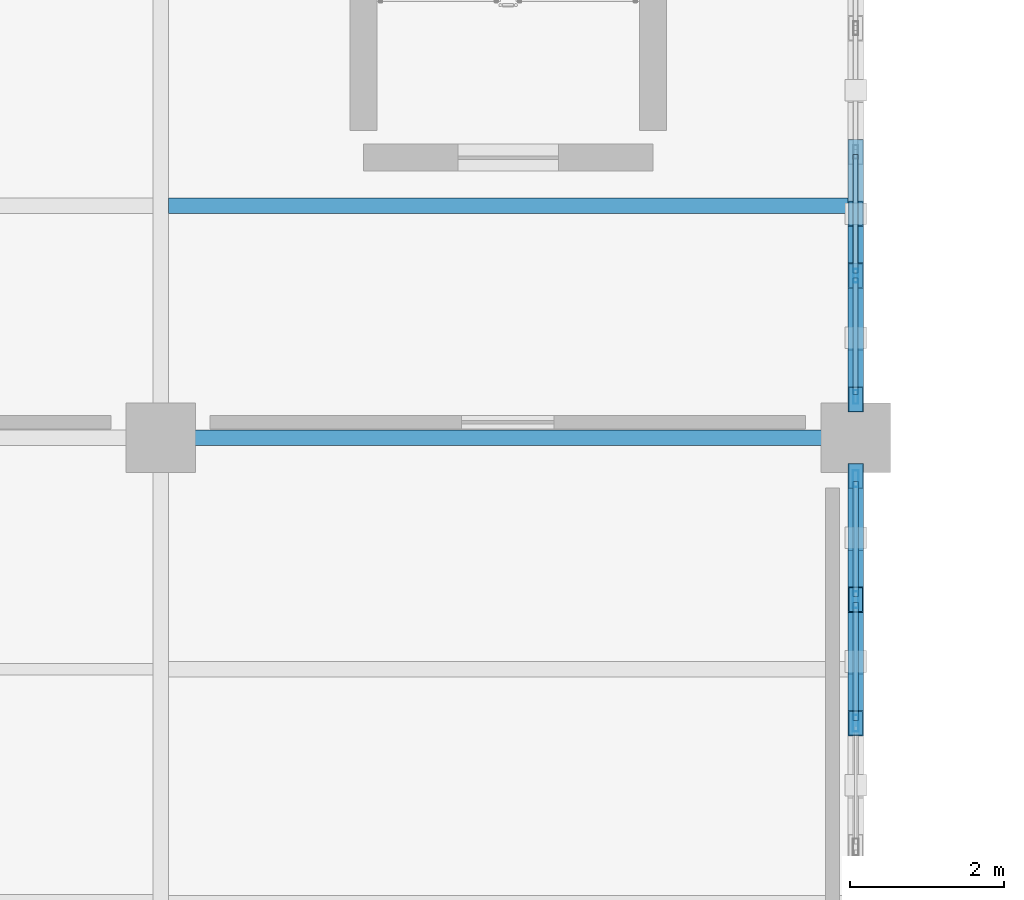
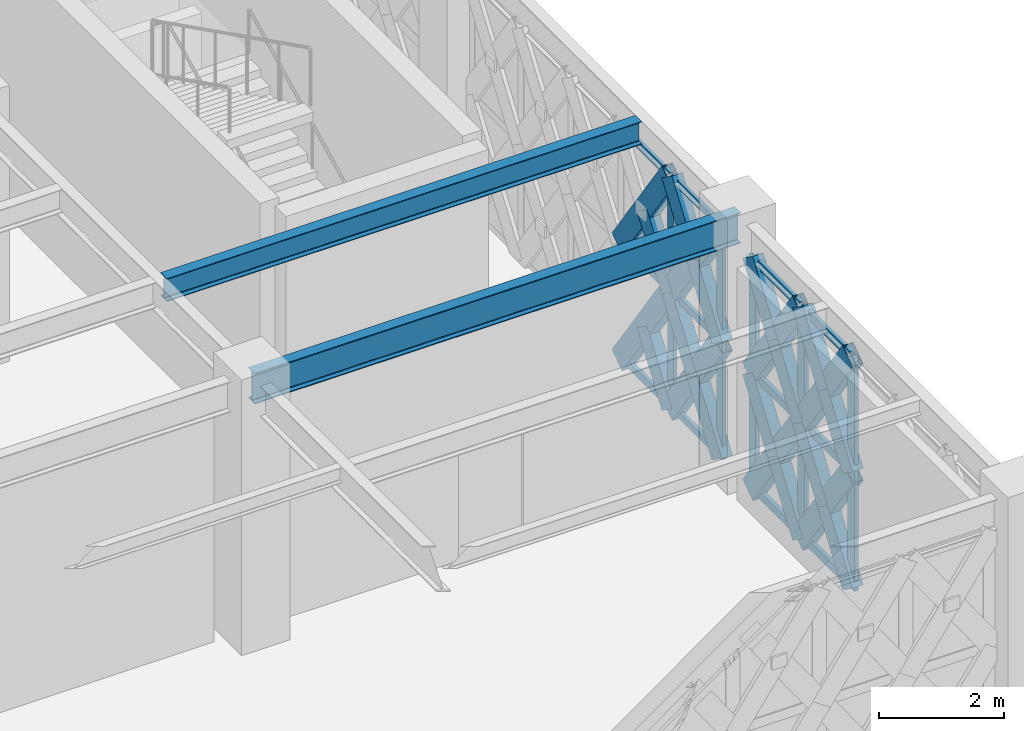
# One storey, part 17 of 155: 39 members, 2 beams, 2 elements without a shape of their own.
"""IFC4 building model written with IfcOpenShell, lengths in metres."""

from ifc_helpers import new_model, si_unit, direction, frame, origin, origin_2d, place, context, subcontext, project, spatial, hollow_rectangle, i_section, extrude, material, material_profile, profile_set, type_object, element, aggregate, save


model = new_model("IFC4")

# Units and contexts
model_context = context("Model", 3, precision=1e-05, world=origin(), true_north=direction((0.0, 1.0)))
body_context = subcontext(model_context, "Body", "Model", "MODEL_VIEW")
ifc_project = project(units=[si_unit("LENGTHUNIT", "METRE"), si_unit("AREAUNIT", "SQUARE_METRE"), si_unit("VOLUMEUNIT", "CUBIC_METRE"), si_unit("PLANEANGLEUNIT", "RADIAN"), si_unit("MASSUNIT", "GRAM", prefix="KILO")], contexts=[model_context])

# Site, building, storey
site_placement = place(None, origin())
site = spatial("IfcSite", under=ifc_project, at=site_placement, CompositionType="ELEMENT")
building_placement = place(site_placement, origin())
building = spatial("IfcBuilding", under=site, at=building_placement, Name="Haizhuo Lancet Aquarium", CompositionType="ELEMENT")
storey_placement = place(building_placement, frame((0.0, 0.0, 10.800048828125)))
storey = spatial("IfcBuildingStorey", under=building, at=storey_placement, Name="L02", CompositionType="ELEMENT", Elevation=10.800048828125)

# Beam
ifc_material_1 = material(Name="Steel S355", Category="steel")
ifc_material_profile_1 = material_profile(ifc_material_1, i_section(OverallWidth=0.199951171875, OverallDepth=0.60009765625, WebThickness=0.010986328125, FlangeThickness=0.01708984375, FilletRadius=0.02197265625, at=origin_2d()), Name="HN 600x200x11x17")
ifc_profile_set_1 = profile_set([ifc_material_profile_1], Name="Steel S355")
beam_type_1 = type_object("IfcBeamType", Name="BM-ST-HN600", PredefinedType="BEAM", material=ifc_profile_set_1)
beam_1_placement = place(storey_placement, frame((-45.0, -27.0, 4.85986328125), z_axis=(1.0, 0.0, 0.0), x_axis=(0.0, 1.0, 0.0)))
element("IfcBeam", 1, at=beam_1_placement, inside=storey, type_object=beam_type_1, Name="L02 V6 primary girder BM-L02-V6-024", PredefinedType="BEAM", context=body_context, shape_type="SweptSolid", body=[
    extrude(i_section(OverallWidth=0.199951171875, OverallDepth=0.60009765625, WebThickness=0.010986328125, FlangeThickness=0.01708984375, FilletRadius=0.02197265625, at=origin_2d()), origin(), (0.0, 0.0, 1.0), 9.0),
])

# Curtain wall, members
ifc_material_2 = material(Name="Aluminium 6063-T6", Category="aluminium")
curtain_wall_type = type_object("IfcCurtainWallType", Name="CWD-8010x4560", PredefinedType="NOTDEFINED", material=ifc_material_2)
curtain_wall_1_placement = place(storey_placement, origin())
curtain_wall_1 = element("IfcCurtainWall", 2, at=curtain_wall_1_placement, inside=storey, type_object=curtain_wall_type, Name="L02 curtain wall CW-V6-L02-220", PredefinedType="NOTDEFINED")
ifc_material_profile_2 = material_profile(ifc_material_2, hollow_rectangle(XDim=0.06494140625, YDim=0.179931640625, WallThickness=0.00390625, at=origin_2d()), Name="ALU-M 65x180x4")
ifc_profile_set_2 = profile_set([ifc_material_profile_2], Name="Aluminium 6063-T6")
member_type_1 = type_object("IfcMemberType", Name="CW-MUL-1", PredefinedType="MULLION", material=ifc_profile_set_2)
member_1_placement = place(storey_placement, frame((-36.0, -24.903076171875, 0.0), z_axis=(0.0, 0.0, 1.0), x_axis=(1.0, 0.0, 0.0)))
member_1 = element("IfcMember", 3, at=member_1_placement, type_object=member_type_1, Name="CWD-80x45 mullion 5", PredefinedType="MULLION", context=body_context, shape_type="SweptSolid", body=[
    extrude(hollow_rectangle(XDim=0.06494140625, YDim=0.179931640625, WallThickness=0.00390625, at=origin_2d()), origin(), (0.0, 0.0, 1.0), 4.56005859375),
])
member_2_placement = place(storey_placement, frame((-36.0, -26.472900390625, 0.0), z_axis=(0.0, 0.0, 1.0), x_axis=(1.0, 0.0, 0.0)))
member_2 = element("IfcMember", 4, at=member_2_placement, type_object=member_type_1, Name="CWD-80x45 mullion 6", PredefinedType="MULLION", context=body_context, shape_type="SweptSolid", body=[
    extrude(hollow_rectangle(XDim=0.06494140625, YDim=0.179931640625, WallThickness=0.00390625, at=origin_2d()), origin(), (0.0, 0.0, 1.0), 4.56005859375),
])

curtain_wall_2_placement = place(storey_placement, origin())
curtain_wall_2 = element("IfcCurtainWall", 5, at=curtain_wall_2_placement, inside=storey, type_object=curtain_wall_type, Name="L02 curtain wall CW-V6-L02-221", PredefinedType="NOTDEFINED")
ifc_material_profile_3 = material_profile(ifc_material_2, hollow_rectangle(XDim=0.074951171875, YDim=0.219970703125, WallThickness=0.0048828125, at=origin_2d()), Name="ALU-M 75x220x5")
ifc_profile_set_3 = profile_set([ifc_material_profile_3], Name="Aluminium 6063-T6")
member_type_2 = type_object("IfcMemberType", Name="CW-MUL-2", PredefinedType="MULLION", material=ifc_profile_set_3)
member_3_placement = place(storey_placement, frame((-36.0, -27.532958984375, 0.0), z_axis=(0.0, 0.0, 1.0), x_axis=(1.0, 0.0, 0.0)))
member_3 = element("IfcMember", 6, at=member_3_placement, type_object=member_type_2, Name="CWD-80x45 mullion 1", PredefinedType="MULLION", context=body_context, shape_type="SweptSolid", body=[
    extrude(hollow_rectangle(XDim=0.074951171875, YDim=0.219970703125, WallThickness=0.0048828125, at=origin_2d()), origin(), (0.0, 0.0, 1.0), 4.56005859375),
])
member_4_placement = place(storey_placement, frame((-36.0, -29.096923828125, 0.0), z_axis=(0.0, 0.0, 1.0), x_axis=(1.0, 0.0, 0.0)))
member_4 = element("IfcMember", 7, at=member_4_placement, type_object=member_type_2, Name="CWD-80x45 mullion 2", PredefinedType="MULLION", context=body_context, shape_type="SweptSolid", body=[
    extrude(hollow_rectangle(XDim=0.074951171875, YDim=0.219970703125, WallThickness=0.0048828125, at=origin_2d()), origin(), (0.0, 0.0, 1.0), 4.56005859375),
])
member_5_placement = place(storey_placement, frame((-36.0, -30.698974609375, 0.0), z_axis=(0.0, 0.0, 1.0), x_axis=(1.0, 0.0, 0.0)))
member_5 = element("IfcMember", 8, at=member_5_placement, type_object=member_type_2, Name="CWD-80x45 mullion 3", PredefinedType="MULLION", context=body_context, shape_type="SweptSolid", body=[
    extrude(hollow_rectangle(XDim=0.074951171875, YDim=0.219970703125, WallThickness=0.0048828125, at=origin_2d()), origin(), (0.0, 0.0, 1.0), 4.56005859375),
])

# Member
ifc_material_profile_4 = material_profile(ifc_material_2, hollow_rectangle(XDim=0.06494140625, YDim=0.139892578125, WallThickness=0.00390625, at=origin_2d()), Name="ALU-T 65x140x4")
ifc_profile_set_4 = profile_set([ifc_material_profile_4], Name="Aluminium 6063-T6")
member_type_3 = type_object("IfcMemberType", Name="CW-TRN-1", PredefinedType="NOTDEFINED", material=ifc_profile_set_4)
member_6_placement = place(storey_placement, frame((-36.0, -23.333984375, 0.032958984375), z_axis=(0.0, -1.0, 0.0), x_axis=(1.0, 0.0, 0.0)))
member_6 = element("IfcMember", 9, at=member_6_placement, type_object=member_type_3, Name="CWD-80x45 transom 4.1", ObjectType="TRANSOM", PredefinedType="USERDEFINED", context=body_context, shape_type="SweptSolid", body=[
    extrude(hollow_rectangle(XDim=0.06494140625, YDim=0.139892578125, WallThickness=0.00390625, at=origin_2d()), origin(), (0.0, 0.0, 1.0), 1.5361328125),
])

member_7_placement = place(storey_placement, frame((-36.0, -23.333984375, 2.280029296875), z_axis=(0.0, -1.0, 0.0), x_axis=(1.0, 0.0, 0.0)))
member_7 = element("IfcMember", 10, at=member_7_placement, type_object=member_type_3, Name="CWD-80x45 transom 4.2", ObjectType="TRANSOM", PredefinedType="USERDEFINED", context=body_context, shape_type="SweptSolid", body=[
    extrude(hollow_rectangle(XDim=0.06494140625, YDim=0.139892578125, WallThickness=0.00390625, at=origin_2d()), origin(), (0.0, 0.0, 1.0), 1.5361328125),
])

member_8_placement = place(storey_placement, frame((-36.0, -23.333984375, 4.52685546875), z_axis=(0.0, -1.0, 0.0), x_axis=(1.0, 0.0, 0.0)))
member_8 = element("IfcMember", 11, at=member_8_placement, type_object=member_type_3, Name="CWD-80x45 transom 4.3", ObjectType="TRANSOM", PredefinedType="USERDEFINED", context=body_context, shape_type="SweptSolid", body=[
    extrude(hollow_rectangle(XDim=0.06494140625, YDim=0.139892578125, WallThickness=0.00390625, at=origin_2d()), origin(), (0.0, 0.0, 1.0), 1.5361328125),
])

member_9_placement = place(storey_placement, frame((-36.0, -24.93505859375, 0.032958984375), z_axis=(0.0, -1.0, 0.0), x_axis=(1.0, 0.0, 0.0)))
member_9 = element("IfcMember", 12, at=member_9_placement, type_object=member_type_3, Name="CWD-80x45 transom 5.1", ObjectType="TRANSOM", PredefinedType="USERDEFINED", context=body_context, shape_type="SweptSolid", body=[
    extrude(hollow_rectangle(XDim=0.06494140625, YDim=0.139892578125, WallThickness=0.00390625, at=origin_2d()), origin(), (0.0, 0.0, 1.0), 1.5048828125),
])

member_10_placement = place(storey_placement, frame((-36.0, -24.93505859375, 2.280029296875), z_axis=(0.0, -1.0, 0.0), x_axis=(1.0, 0.0, 0.0)))
member_10 = element("IfcMember", 13, at=member_10_placement, type_object=member_type_3, Name="CWD-80x45 transom 5.2", ObjectType="TRANSOM", PredefinedType="USERDEFINED", context=body_context, shape_type="SweptSolid", body=[
    extrude(hollow_rectangle(XDim=0.06494140625, YDim=0.139892578125, WallThickness=0.00390625, at=origin_2d()), origin(), (0.0, 0.0, 1.0), 1.5048828125),
])

member_11_placement = place(storey_placement, frame((-36.0, -24.93505859375, 4.52685546875), z_axis=(0.0, -1.0, 0.0), x_axis=(1.0, 0.0, 0.0)))
member_11 = element("IfcMember", 14, at=member_11_placement, type_object=member_type_3, Name="CWD-80x45 transom 5.3", ObjectType="TRANSOM", PredefinedType="USERDEFINED", context=body_context, shape_type="SweptSolid", body=[
    extrude(hollow_rectangle(XDim=0.06494140625, YDim=0.139892578125, WallThickness=0.00390625, at=origin_2d()), origin(), (0.0, 0.0, 1.0), 1.5048828125),
])

aggregate(curtain_wall_1, [member_1, member_2, member_6, member_7, member_8, member_9, member_10, member_11])

ifc_material_profile_5 = material_profile(ifc_material_2, hollow_rectangle(XDim=0.074951171875, YDim=0.159912109375, WallThickness=0.00390625, at=origin_2d()), Name="ALU-T 75x160x4")
ifc_profile_set_5 = profile_set([ifc_material_profile_5], Name="Aluminium 6063-T6")
member_type_4 = type_object("IfcMemberType", Name="CW-TRN-2", PredefinedType="NOTDEFINED", material=ifc_profile_set_5)
member_12_placement = place(storey_placement, frame((-36.0, -27.570068359375, 0.037841796875), z_axis=(0.0, -1.0, 0.0), x_axis=(1.0, 0.0, 0.0)))
member_12 = element("IfcMember", 15, at=member_12_placement, type_object=member_type_4, Name="CWD-80x45 transom 1.1", ObjectType="TRANSOM", PredefinedType="USERDEFINED", context=body_context, shape_type="SweptSolid", body=[
    extrude(hollow_rectangle(XDim=0.074951171875, YDim=0.159912109375, WallThickness=0.00390625, at=origin_2d()), origin(), (0.0, 0.0, 1.0), 1.489013671875),
])

member_13_placement = place(storey_placement, frame((-36.0, -27.570068359375, 2.280029296875), z_axis=(0.0, -1.0, 0.0), x_axis=(1.0, 0.0, 0.0)))
member_13 = element("IfcMember", 16, at=member_13_placement, type_object=member_type_4, Name="CWD-80x45 transom 1.2", ObjectType="TRANSOM", PredefinedType="USERDEFINED", context=body_context, shape_type="SweptSolid", body=[
    extrude(hollow_rectangle(XDim=0.074951171875, YDim=0.159912109375, WallThickness=0.00390625, at=origin_2d()), origin(), (0.0, 0.0, 1.0), 1.489013671875),
])

member_14_placement = place(storey_placement, frame((-36.0, -27.570068359375, 4.52197265625), z_axis=(0.0, -1.0, 0.0), x_axis=(1.0, 0.0, 0.0)))
member_14 = element("IfcMember", 17, at=member_14_placement, type_object=member_type_4, Name="CWD-80x45 transom 1.3", ObjectType="TRANSOM", PredefinedType="USERDEFINED", context=body_context, shape_type="SweptSolid", body=[
    extrude(hollow_rectangle(XDim=0.074951171875, YDim=0.159912109375, WallThickness=0.00390625, at=origin_2d()), origin(), (0.0, 0.0, 1.0), 1.489013671875),
])

member_15_placement = place(storey_placement, frame((-36.0, -29.135009765625, 0.037841796875), z_axis=(0.0, -1.0, 0.0), x_axis=(1.0, 0.0, 0.0)))
member_15 = element("IfcMember", 18, at=member_15_placement, type_object=member_type_4, Name="CWD-80x45 transom 2.1", ObjectType="TRANSOM", PredefinedType="USERDEFINED", context=body_context, shape_type="SweptSolid", body=[
    extrude(hollow_rectangle(XDim=0.074951171875, YDim=0.159912109375, WallThickness=0.00390625, at=origin_2d()), origin(), (0.0, 0.0, 1.0), 1.527099609375),
])

member_16_placement = place(storey_placement, frame((-36.0, -29.135009765625, 2.280029296875), z_axis=(0.0, -1.0, 0.0), x_axis=(1.0, 0.0, 0.0)))
member_16 = element("IfcMember", 19, at=member_16_placement, type_object=member_type_4, Name="CWD-80x45 transom 2.2", ObjectType="TRANSOM", PredefinedType="USERDEFINED", context=body_context, shape_type="SweptSolid", body=[
    extrude(hollow_rectangle(XDim=0.074951171875, YDim=0.159912109375, WallThickness=0.00390625, at=origin_2d()), origin(), (0.0, 0.0, 1.0), 1.527099609375),
])

member_17_placement = place(storey_placement, frame((-36.0, -29.135009765625, 4.52197265625), z_axis=(0.0, -1.0, 0.0), x_axis=(1.0, 0.0, 0.0)))
member_17 = element("IfcMember", 20, at=member_17_placement, type_object=member_type_4, Name="CWD-80x45 transom 2.3", ObjectType="TRANSOM", PredefinedType="USERDEFINED", context=body_context, shape_type="SweptSolid", body=[
    extrude(hollow_rectangle(XDim=0.074951171875, YDim=0.159912109375, WallThickness=0.00390625, at=origin_2d()), origin(), (0.0, 0.0, 1.0), 1.527099609375),
])

aggregate(curtain_wall_2, [member_3, member_4, member_5, member_12, member_13, member_14, member_15, member_16, member_17])

# Beam
ifc_material_profile_6 = material_profile(ifc_material_1, i_section(OverallWidth=0.199951171875, OverallDepth=0.449951171875, WebThickness=0.009033203125, FlangeThickness=0.013916015625, FilletRadius=0.01806640625, at=origin_2d()), Name="HN 450x200x9x14")
ifc_profile_set_6 = profile_set([ifc_material_profile_6], Name="Steel S355")
beam_type_2 = type_object("IfcBeamType", Name="JST-ST-HN450", PredefinedType="JOIST", material=ifc_profile_set_6)
beam_2_placement = place(storey_placement, frame((-44.89990234375, -24.0, 4.93505859375), z_axis=(1.0, 0.0, 0.0), x_axis=(0.0, 1.0, 0.0)))
element("IfcBeam", 21, at=beam_2_placement, inside=storey, type_object=beam_type_2, Name="L02 V6 secondary floor joist 18", PredefinedType="JOIST", context=body_context, shape_type="SweptSolid", body=[
    extrude(i_section(OverallWidth=0.199951171875, OverallDepth=0.449951171875, WebThickness=0.009033203125, FlangeThickness=0.013916015625, FilletRadius=0.01806640625, at=origin_2d()), origin(), (0.0, 0.0, 1.0), 8.7998046875),
])

# Members
ifc_material_profile_7 = material_profile(ifc_material_1, hollow_rectangle(XDim=0.199951171875, YDim=0.39990234375, WallThickness=0.011962890625, at=origin_2d()), Name="RHS 200x400x12")
ifc_profile_set_7 = profile_set([ifc_material_profile_7], Name="Steel S355")
member_type_5 = type_object("IfcMemberType", Name="MEM-LB-RHS200x400", PredefinedType="BRACE", material=ifc_profile_set_7)
member_18_placement = place(storey_placement, frame((-36.0, -23.301025390625, 0.0), z_axis=(0.0, -0.574913812948, 0.818213974264), x_axis=(1.0, 0.0, 0.0)))
element("IfcMember", 22, at=member_18_placement, inside=storey, type_object=member_type_5, Name="Gothic lancet continuous diagonal brace CW-V6-L02-220 7A", PredefinedType="BRACE", context=body_context, shape_type="SweptSolid", body=[
    extrude(hollow_rectangle(XDim=0.199951171875, YDim=0.39990234375, WallThickness=0.011962890625, at=origin_2d()), origin(), (0.0, 0.0, 1.0), 2.78662109375),
])
member_19_placement = place(storey_placement, frame((-36.0, -24.903076171875, 0.0), z_axis=(0.0, 0.574955028356, 0.818185012921), x_axis=(-1.0, 0.0, 0.0)))
element("IfcMember", 23, at=member_19_placement, inside=storey, type_object=member_type_5, Name="Gothic lancet split diagonal brace CW-V6-L02-220 7B1", PredefinedType="BRACE", context=body_context, shape_type="SweptSolid", body=[
    extrude(hollow_rectangle(XDim=0.199951171875, YDim=0.39990234375, WallThickness=0.011962890625, at=origin_2d()), origin(), (0.0, 0.0, 1.0), 1.393310546875),
])
member_20_placement = place(storey_placement, frame((-36.0, -23.301025390625, 2.280029296875), z_axis=(0.0, -0.574913812948, 0.818213974264), x_axis=(1.0, 0.0, 0.0)))
element("IfcMember", 24, at=member_20_placement, inside=storey, type_object=member_type_5, Name="Gothic lancet continuous diagonal brace CW-V6-L02-220 8A", PredefinedType="BRACE", context=body_context, shape_type="SweptSolid", body=[
    extrude(hollow_rectangle(XDim=0.199951171875, YDim=0.39990234375, WallThickness=0.011962890625, at=origin_2d()), origin(), (0.0, 0.0, 1.0), 2.78662109375),
])
member_21_placement = place(storey_placement, frame((-36.0, -24.903076171875, 2.280029296875), z_axis=(0.0, 0.574955028356, 0.818185012921), x_axis=(-1.0, 0.0, 0.0)))
element("IfcMember", 25, at=member_21_placement, inside=storey, type_object=member_type_5, Name="Gothic lancet split diagonal brace CW-V6-L02-220 8B1", PredefinedType="BRACE", context=body_context, shape_type="SweptSolid", body=[
    extrude(hollow_rectangle(XDim=0.199951171875, YDim=0.39990234375, WallThickness=0.011962890625, at=origin_2d()), origin(), (0.0, 0.0, 1.0), 1.393310546875),
])
member_22_placement = place(storey_placement, frame((-36.0, -24.903076171875, 0.0), z_axis=(0.0, -0.574855154156, 0.81825518742), x_axis=(1.0, 0.0, 0.0)))
element("IfcMember", 26, at=member_22_placement, inside=storey, type_object=member_type_5, Name="Gothic lancet continuous diagonal brace CW-V6-L02-220 9A", PredefinedType="BRACE", context=body_context, shape_type="SweptSolid", body=[
    extrude(hollow_rectangle(XDim=0.199951171875, YDim=0.39990234375, WallThickness=0.011962890625, at=origin_2d()), origin(), (0.0, 0.0, 1.0), 2.786376953125),
])
member_23_placement = place(storey_placement, frame((-36.0, -26.5048828125, 0.0), z_axis=(0.0, 0.5748377018, 0.818267448081), x_axis=(-1.0, 0.0, 0.0)))
element("IfcMember", 27, at=member_23_placement, inside=storey, type_object=member_type_5, Name="Gothic lancet split diagonal brace CW-V6-L02-220 9B1", PredefinedType="BRACE", context=body_context, shape_type="SweptSolid", body=[
    extrude(hollow_rectangle(XDim=0.199951171875, YDim=0.39990234375, WallThickness=0.011962890625, at=origin_2d()), origin(), (0.0, 0.0, 1.0), 1.39306640625),
])
member_24_placement = place(storey_placement, frame((-36.0, -25.7041015625, 1.139892578125), z_axis=(0.0, 0.574872601991, 0.81824292938), x_axis=(-1.0, 0.0, 0.0)))
element("IfcMember", 28, at=member_24_placement, inside=storey, type_object=member_type_5, Name="Gothic lancet split diagonal brace CW-V6-L02-220 9B2", PredefinedType="BRACE", context=body_context, shape_type="SweptSolid", body=[
    extrude(hollow_rectangle(XDim=0.199951171875, YDim=0.39990234375, WallThickness=0.011962890625, at=origin_2d()), origin(), (0.0, 0.0, 1.0), 1.393310546875),
])
member_25_placement = place(storey_placement, frame((-36.0, -24.903076171875, 2.280029296875), z_axis=(0.0, -0.574855154156, 0.81825518742), x_axis=(1.0, 0.0, 0.0)))
element("IfcMember", 29, at=member_25_placement, inside=storey, type_object=member_type_5, Name="Gothic lancet continuous diagonal brace CW-V6-L02-220 10A", PredefinedType="BRACE", context=body_context, shape_type="SweptSolid", body=[
    extrude(hollow_rectangle(XDim=0.199951171875, YDim=0.39990234375, WallThickness=0.011962890625, at=origin_2d()), origin(), (0.0, 0.0, 1.0), 2.786376953125),
])
member_26_placement = place(storey_placement, frame((-36.0, -26.5048828125, 2.280029296875), z_axis=(0.0, 0.5748377018, 0.818267448081), x_axis=(-1.0, 0.0, 0.0)))
element("IfcMember", 30, at=member_26_placement, inside=storey, type_object=member_type_5, Name="Gothic lancet split diagonal brace CW-V6-L02-220 10B1", PredefinedType="BRACE", context=body_context, shape_type="SweptSolid", body=[
    extrude(hollow_rectangle(XDim=0.199951171875, YDim=0.39990234375, WallThickness=0.011962890625, at=origin_2d()), origin(), (0.0, 0.0, 1.0), 1.39306640625),
])
member_27_placement = place(storey_placement, frame((-36.0, -25.7041015625, 3.419921875), z_axis=(0.0, 0.574872601991, 0.81824292938), x_axis=(-1.0, 0.0, 0.0)))
element("IfcMember", 31, at=member_27_placement, inside=storey, type_object=member_type_5, Name="Gothic lancet split diagonal brace CW-V6-L02-220 10B2", PredefinedType="BRACE", context=body_context, shape_type="SweptSolid", body=[
    extrude(hollow_rectangle(XDim=0.199951171875, YDim=0.39990234375, WallThickness=0.011962890625, at=origin_2d()), origin(), (0.0, 0.0, 1.0), 1.393310546875),
])
member_28_placement = place(storey_placement, frame((-36.0, -27.4951171875, 0.0), z_axis=(0.0, -0.574855154156, 0.81825518742), x_axis=(1.0, 0.0, 0.0)))
element("IfcMember", 32, at=member_28_placement, inside=storey, type_object=member_type_5, Name="Gothic lancet continuous diagonal brace CW-V6-L02-221 1A", PredefinedType="BRACE", context=body_context, shape_type="SweptSolid", body=[
    extrude(hollow_rectangle(XDim=0.199951171875, YDim=0.39990234375, WallThickness=0.011962890625, at=origin_2d()), origin(), (0.0, 0.0, 1.0), 2.786376953125),
])
for number, where, z_axis, x_axis, name in (
    (33, (-36.0, -29.096923828125, 0.0), (0.0, 0.574955028356, 0.818185012921), (-1.0, 0.0, 0.0), "Gothic lancet split diagonal brace CW-V6-L02-221 1B1"),
    (34, (-36.0, -28.2958984375, 1.139892578125), (0.0, 0.574755275652, 0.818325346736), (-1.0, 0.0, 0.0), "Gothic lancet split diagonal brace CW-V6-L02-221 1B2"),
):
    element("IfcMember", number, at=place(storey_placement, frame(where, z_axis=z_axis, x_axis=x_axis)), inside=storey, type_object=member_type_5, Name=name, PredefinedType="BRACE", context=body_context, shape_type="SweptSolid", body=[
        extrude(hollow_rectangle(XDim=0.199951171875, YDim=0.39990234375, WallThickness=0.011962890625, at=origin_2d()), origin(), (0.0, 0.0, 1.0), 1.393310546875),
    ])
member_29_placement = place(storey_placement, frame((-36.0, -27.4951171875, 2.280029296875), z_axis=(0.0, -0.574855154156, 0.81825518742), x_axis=(1.0, 0.0, 0.0)))
element("IfcMember", 35, at=member_29_placement, inside=storey, type_object=member_type_5, Name="Gothic lancet continuous diagonal brace CW-V6-L02-221 2A", PredefinedType="BRACE", context=body_context, shape_type="SweptSolid", body=[
    extrude(hollow_rectangle(XDim=0.199951171875, YDim=0.39990234375, WallThickness=0.011962890625, at=origin_2d()), origin(), (0.0, 0.0, 1.0), 2.786376953125),
])
for number, where, z_axis, x_axis, name in (
    (36, (-36.0, -29.096923828125, 2.280029296875), (0.0, 0.574955028356, 0.818185012921), (-1.0, 0.0, 0.0), "Gothic lancet split diagonal brace CW-V6-L02-221 2B1"),
    (37, (-36.0, -28.2958984375, 3.419921875), (0.0, 0.574755275652, 0.818325346736), (-1.0, 0.0, 0.0), "Gothic lancet split diagonal brace CW-V6-L02-221 2B2"),
):
    element("IfcMember", number, at=place(storey_placement, frame(where, z_axis=z_axis, x_axis=x_axis)), inside=storey, type_object=member_type_5, Name=name, PredefinedType="BRACE", context=body_context, shape_type="SweptSolid", body=[
        extrude(hollow_rectangle(XDim=0.199951171875, YDim=0.39990234375, WallThickness=0.011962890625, at=origin_2d()), origin(), (0.0, 0.0, 1.0), 1.393310546875),
    ])
member_30_placement = place(storey_placement, frame((-36.0, -29.096923828125, 0.0), z_axis=(0.0, -0.574913812948, 0.818213974264), x_axis=(1.0, 0.0, 0.0)))
element("IfcMember", 38, at=member_30_placement, inside=storey, type_object=member_type_5, Name="Gothic lancet continuous diagonal brace CW-V6-L02-221 3A", PredefinedType="BRACE", context=body_context, shape_type="SweptSolid", body=[
    extrude(hollow_rectangle(XDim=0.199951171875, YDim=0.39990234375, WallThickness=0.011962890625, at=origin_2d()), origin(), (0.0, 0.0, 1.0), 2.78662109375),
])
for number, where, z_axis, x_axis, name in (
    (39, (-36.0, -30.698974609375, 0.0), (0.0, 0.574955028356, 0.818185012921), (-1.0, 0.0, 0.0), "Gothic lancet split diagonal brace CW-V6-L02-221 3B1"),
    (40, (-36.0, -29.89794921875, 1.139892578125), (0.0, 0.574872601991, 0.81824292938), (-1.0, 0.0, 0.0), "Gothic lancet split diagonal brace CW-V6-L02-221 3B2"),
):
    element("IfcMember", number, at=place(storey_placement, frame(where, z_axis=z_axis, x_axis=x_axis)), inside=storey, type_object=member_type_5, Name=name, PredefinedType="BRACE", context=body_context, shape_type="SweptSolid", body=[
        extrude(hollow_rectangle(XDim=0.199951171875, YDim=0.39990234375, WallThickness=0.011962890625, at=origin_2d()), origin(), (0.0, 0.0, 1.0), 1.393310546875),
    ])
member_31_placement = place(storey_placement, frame((-36.0, -29.096923828125, 2.280029296875), z_axis=(0.0, -0.574913812948, 0.818213974264), x_axis=(1.0, 0.0, 0.0)))
element("IfcMember", 41, at=member_31_placement, inside=storey, type_object=member_type_5, Name="Gothic lancet continuous diagonal brace CW-V6-L02-221 4A", PredefinedType="BRACE", context=body_context, shape_type="SweptSolid", body=[
    extrude(hollow_rectangle(XDim=0.199951171875, YDim=0.39990234375, WallThickness=0.011962890625, at=origin_2d()), origin(), (0.0, 0.0, 1.0), 2.78662109375),
])
for number, where, z_axis, x_axis, name in (
    (42, (-36.0, -30.698974609375, 2.280029296875), (0.0, 0.574955028356, 0.818185012921), (-1.0, 0.0, 0.0), "Gothic lancet split diagonal brace CW-V6-L02-221 4B1"),
    (43, (-36.0, -29.89794921875, 3.419921875), (0.0, 0.574872601991, 0.81824292938), (-1.0, 0.0, 0.0), "Gothic lancet split diagonal brace CW-V6-L02-221 4B2"),
):
    element("IfcMember", number, at=place(storey_placement, frame(where, z_axis=z_axis, x_axis=x_axis)), inside=storey, type_object=member_type_5, Name=name, PredefinedType="BRACE", context=body_context, shape_type="SweptSolid", body=[
        extrude(hollow_rectangle(XDim=0.199951171875, YDim=0.39990234375, WallThickness=0.011962890625, at=origin_2d()), origin(), (0.0, 0.0, 1.0), 1.393310546875),
    ])

save(model, "model.ifc")
